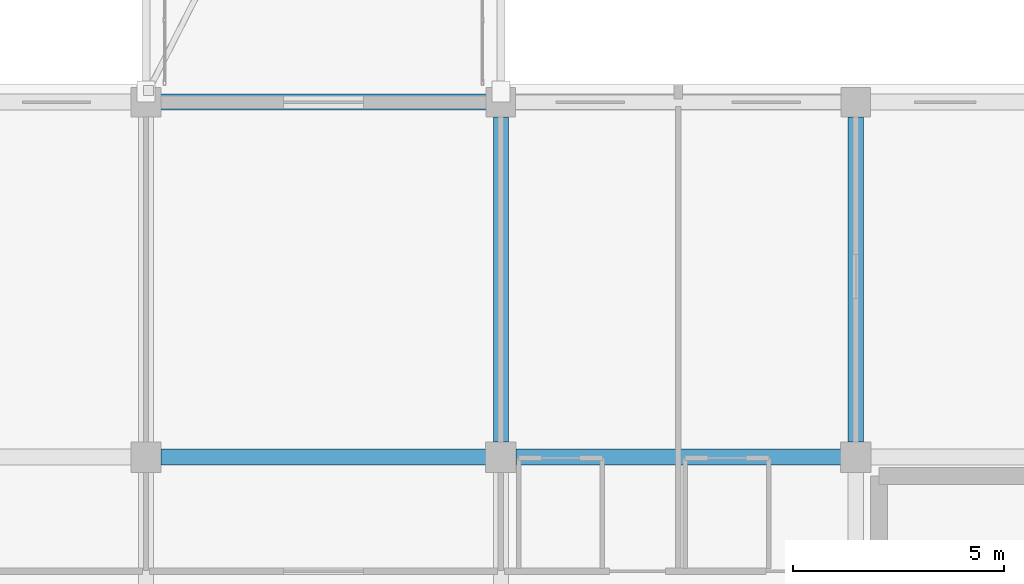
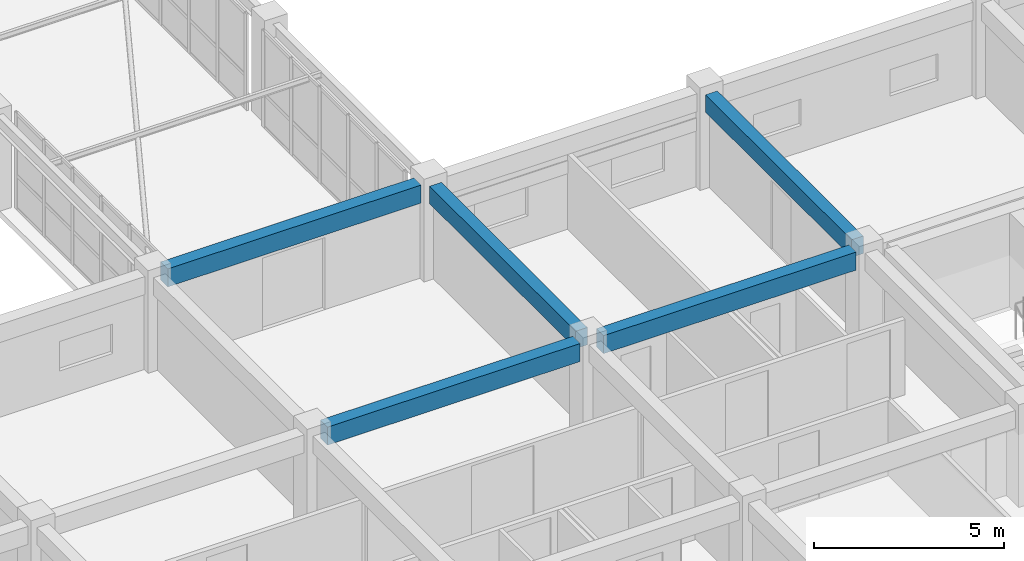
# One storey, part 27 of 148: 5 beams.
"""IFC4 building model written with IfcOpenShell, lengths in metres."""

from ifc_helpers import new_model, si_unit, direction, frame, origin, origin_2d, place, context, subcontext, project, spatial, rectangle, extrude, material, material_profile, profile_set, type_object, element, save


model = new_model("IFC4")

# Units and contexts
model_context = context("Model", 3, precision=1e-05, world=origin(), true_north=direction((0.0, 1.0)))
body_context = subcontext(model_context, "Body", "Model", "MODEL_VIEW")
ifc_project = project(units=[si_unit("LENGTHUNIT", "METRE"), si_unit("AREAUNIT", "SQUARE_METRE"), si_unit("VOLUMEUNIT", "CUBIC_METRE"), si_unit("PLANEANGLEUNIT", "RADIAN"), si_unit("MASSUNIT", "GRAM", prefix="KILO")], contexts=[model_context])

# Site, building, storey
site_placement = place(None, origin())
site = spatial("IfcSite", under=ifc_project, at=site_placement, CompositionType="ELEMENT")
building_placement = place(site_placement, origin())
building = spatial("IfcBuilding", under=site, at=building_placement, Name="Trelvath General Hospital", CompositionType="ELEMENT")
storey_placement = place(building_placement, frame((0.0, 0.0, 12.89990234375)))
storey = spatial("IfcBuildingStorey", under=building, at=storey_placement, Name="L03", CompositionType="ELEMENT", Elevation=12.89990234375)

# Beams
ifc_material_1 = material(Name="Concrete C35/45", Category="concrete")
ifc_material_profile_1 = material_profile(ifc_material_1, rectangle(XDim=0.360107421875, YDim=0.56005859375, at=origin_2d()), Name="RCB360x560")
ifc_profile_set_1 = profile_set([ifc_material_profile_1], Name="Concrete C35/45")
beam_type_1 = type_object("IfcBeamType", Name="Beam RC360x560", PredefinedType="BEAM", material=ifc_profile_set_1)
for number, where, z_axis, x_axis, name in (
    (1, (84.0, 17.155029296875, 2.739990234375), (0.0, 1.0, 0.0), (-1.0, 0.0, 0.0), "Grid Beam BY-310C"),
    (2, (92.39990234375, 17.155029296875, 2.739990234375), (0.0, 1.0, 0.0), (-1.0, 0.0, 0.0), "Grid Beam BY-311C"),
):
    element("IfcBeam", number, at=place(storey_placement, frame(where, z_axis=z_axis, x_axis=x_axis)), inside=storey, type_object=beam_type_1, Name=name, PredefinedType="BEAM", context=body_context, shape_type="SweptSolid", body=[
        extrude(rectangle(XDim=0.360107421875, YDim=0.56005859375, at=origin_2d()), origin(), (0.0, 0.0, 1.0), 7.699951171875),
    ])
ifc_material_2 = material(Name="Concrete C35/45", Category="concrete")
ifc_material_profile_2 = material_profile(ifc_material_2, rectangle(XDim=0.3798828125, YDim=0.580078125, at=origin_2d()), Name="RCB380x580")
ifc_profile_set_2 = profile_set([ifc_material_profile_2], Name="Concrete C35/45")
beam_type_2 = type_object("IfcBeamType", Name="Beam RC380x580", PredefinedType="BEAM", material=ifc_profile_set_2)
beam_1_placement = place(storey_placement, frame((75.955078125, 16.800048828125, 2.72998046875), z_axis=(1.0, 0.0, 0.0), x_axis=(0.0, 1.0, 0.0)))
element("IfcBeam", 3, at=beam_1_placement, inside=storey, type_object=beam_type_2, Name="Grid Beam BX-309C", PredefinedType="BEAM", context=body_context, shape_type="SweptSolid", body=[
    extrude(rectangle(XDim=0.3798828125, YDim=0.580078125, at=origin_2d()), origin(), (0.0, 0.0, 1.0), 7.68994140625),
])
beam_2_placement = place(storey_placement, frame((75.945068359375, 25.199951171875, 2.72998046875), z_axis=(1.0, 0.0, 0.0), x_axis=(0.0, 1.0, 0.0)))
element("IfcBeam", 4, at=beam_2_placement, inside=storey, type_object=beam_type_2, Name="Grid Beam BX-309D", PredefinedType="BEAM", context=body_context, shape_type="SweptSolid", body=[
    extrude(rectangle(XDim=0.3798828125, YDim=0.580078125, at=origin_2d()), origin(), (0.0, 0.0, 1.0), 7.7099609375),
])
beam_3_placement = place(storey_placement, frame((84.35498046875, 16.800048828125, 2.72998046875), z_axis=(1.0, 0.0, 0.0), x_axis=(0.0, 1.0, 0.0)))
element("IfcBeam", 5, at=beam_3_placement, inside=storey, type_object=beam_type_2, Name="Grid Beam BX-310C", PredefinedType="BEAM", context=body_context, shape_type="SweptSolid", body=[
    extrude(rectangle(XDim=0.3798828125, YDim=0.580078125, at=origin_2d()), origin(), (0.0, 0.0, 1.0), 7.68994140625),
])

save(model, "model.ifc")
